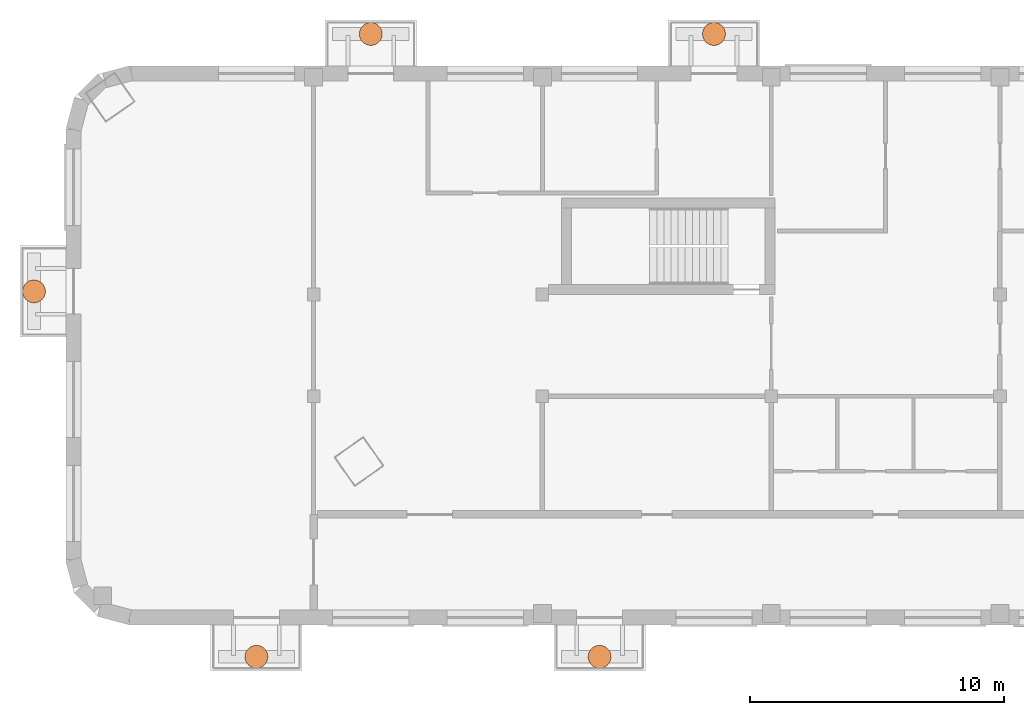
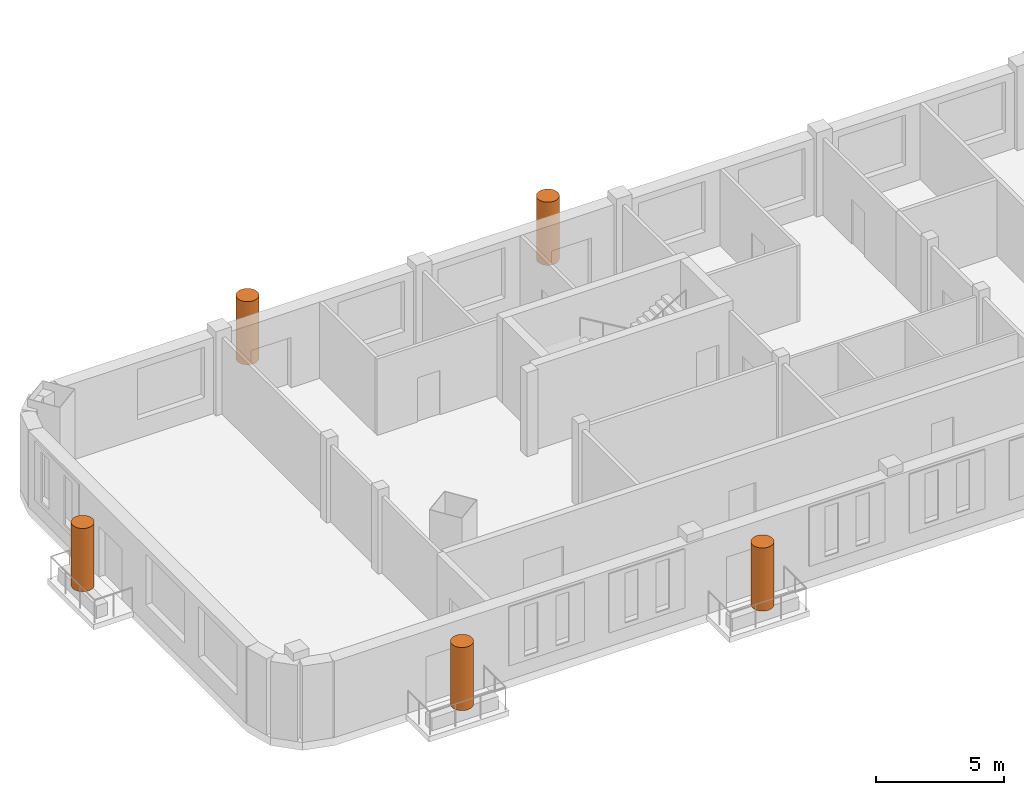
# One storey, part 8 of 8: 5 geographic elements.
"""IFC4 building model written with IfcOpenShell, lengths in metres."""

from ifc_helpers import new_model, si_unit, direction, frame, origin, origin_2d, place, context, subcontext, project, spatial, circle, extrude, element, save


model = new_model("IFC4")

# Units and contexts
model_context = context("Model", 3, precision=1e-05, world=origin(), true_north=direction((0.0, 1.0)))
body_context = subcontext(model_context, "Body", "Model", "MODEL_VIEW")
ifc_project = project(units=[si_unit("LENGTHUNIT", "METRE"), si_unit("AREAUNIT", "SQUARE_METRE"), si_unit("VOLUMEUNIT", "CUBIC_METRE"), si_unit("PLANEANGLEUNIT", "RADIAN"), si_unit("MASSUNIT", "GRAM", prefix="KILO")], contexts=[model_context])

# Site, building, storey
site_placement = place(None, origin())
site = spatial("IfcSite", under=ifc_project, at=site_placement, CompositionType="ELEMENT")
building_placement = place(site_placement, origin())
building = spatial("IfcBuilding", under=site, at=building_placement, Name="Skarvind Civic Tower", CompositionType="ELEMENT")
storey_placement = place(building_placement, frame((0.0, 0.0, 253.5)))
storey = spatial("IfcBuildingStorey", under=building, at=storey_placement, Name="L60", CompositionType="ELEMENT", Elevation=253.5)

# Geographic elements
for number, where, z_axis, x_axis, name in (
    (1, (56.5, 140.25, 0.60009765625), (0.0, 0.0, 1.0), (1.0, 0.0, 0.0), "TREE BALCONY TREE"),
    (2, (70.0, 140.25, 0.60009765625), (0.0, 0.0, 1.0), (1.0, 0.0, 0.0), "TREE BALCONY TREE"),
    (3, (43.25, 130.125, 0.60009765625), (0.0, 0.0, 1.0), (1.0, 0.0, 0.0), "TREE BALCONY TREE"),
    (4, (65.5, 115.75, 0.60009765625), (0.0, 0.0, 1.0), (1.0, 0.0, 0.0), "TREE BALCONY TREE"),
    (5, (52.0, 115.75, 0.60009765625), (0.0, 0.0, 1.0), (1.0, 0.0, 0.0), "TREE BALCONY TREE"),
):
    element("IfcGeographicElement", number, at=place(storey_placement, frame(where, z_axis=z_axis, x_axis=x_axis)), inside=storey, Name=name, ObjectType="TREE", PredefinedType="USERDEFINED", context=body_context, shape_type="SweptSolid", body=[
        extrude(circle(Radius=0.449951171875, at=origin_2d()), origin(), (0.0, 0.0, 1.0), 3.0),
    ])

save(model, "model.ifc")
